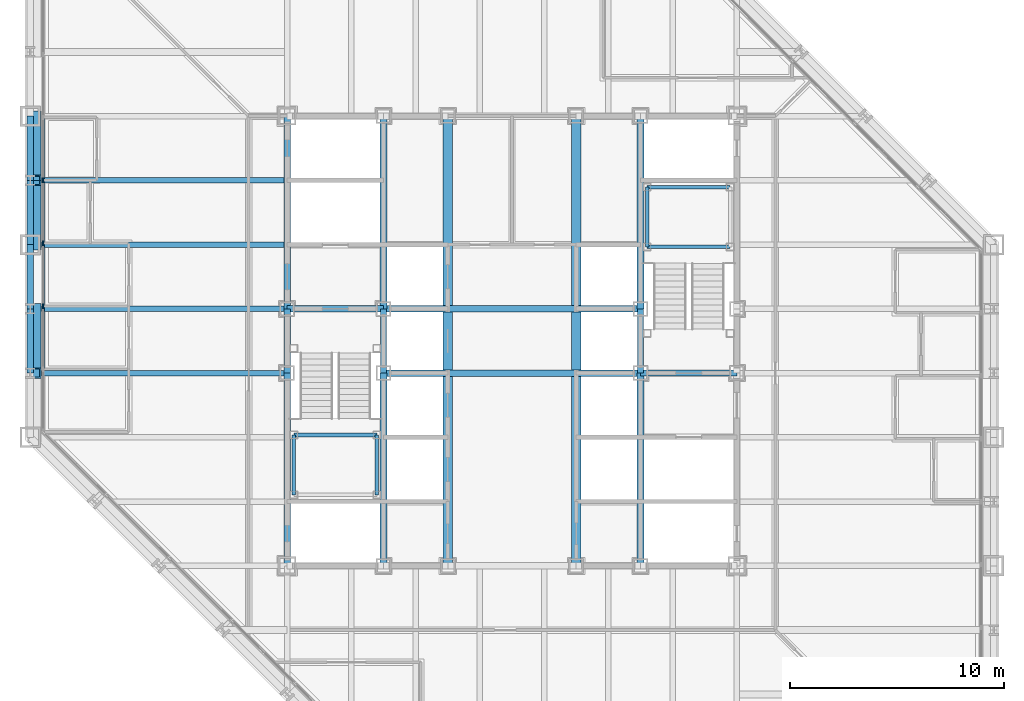
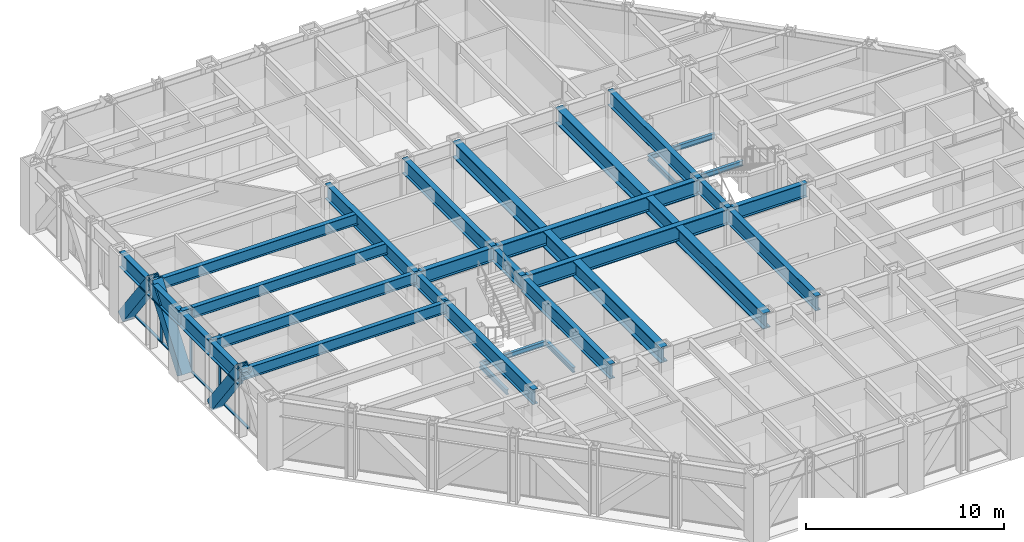
# One storey, part 5 of 17: 33 beams, 10 members, 1 element without a shape of its own.
"""IFC4 building model written with IfcOpenShell, lengths in metres."""

from ifc_helpers import new_model, si_unit, direction, frame, origin, origin_2d, place, context, subcontext, project, spatial, rectangle, hollow_rectangle, i_section, extrude, material, layer, layer_set, material_profile, profile_set, type_object, element, aggregate, save


model = new_model("IFC4")

# Units and contexts
model_context = context("Model", 3, precision=1e-05, world=origin(), true_north=direction((0.0, 1.0)))
body_context = subcontext(model_context, "Body", "Model", "MODEL_VIEW")
ifc_project = project(units=[si_unit("LENGTHUNIT", "METRE"), si_unit("AREAUNIT", "SQUARE_METRE"), si_unit("VOLUMEUNIT", "CUBIC_METRE"), si_unit("PLANEANGLEUNIT", "RADIAN"), si_unit("MASSUNIT", "GRAM", prefix="KILO")], contexts=[model_context])

# Site, building, storey
site_placement = place(None, origin())
site = spatial("IfcSite", under=ifc_project, at=site_placement, CompositionType="ELEMENT")
building_placement = place(site_placement, origin())
building = spatial("IfcBuilding", under=site, at=building_placement, Name="Chuquiago Exchange Tower", CompositionType="ELEMENT")
storey_placement = place(building_placement, frame((0.0, 0.0, 136.199951171875)))
storey = spatial("IfcBuildingStorey", under=building, at=storey_placement, Name="L29", CompositionType="ELEMENT", Elevation=136.199951171875)

# Beams
ifc_material_1 = material(Name="Steel ASTM A992", Category="steel")
ifc_material_profile_1 = material_profile(ifc_material_1, i_section(OverallWidth=0.25390625, OverallDepth=0.683349609375, WebThickness=0.012451171875, FlangeThickness=0.018798828125, at=origin_2d()), Name="W27X94")
ifc_profile_set_1 = profile_set([ifc_material_profile_1], Name="Steel ASTM A992")
beam_type_1 = type_object("IfcBeamType", Name="B1 W27X94", PredefinedType="BEAM", material=ifc_profile_set_1)
for number, where, z_axis, x_axis, name in (
    (1, (12.0, 21.0, 3.698486328125), (-1.0, 0.0, 0.0), (0.0, -1.0, 0.0), "FB-L30-infill-12_21--0_21-0"),
    (2, (12.0, 24.0, 3.698486328125), (-1.0, 0.0, 0.0), (0.0, -1.0, 0.0), "FB-L30-infill-12_24--0_24-0"),
    (3, (12.0, 27.0, 3.698486328125), (-1.0, 0.0, 0.0), (0.0, -1.0, 0.0), "FB-L30-infill-12_27--0_27-0"),
    (4, (12.0, 30.0, 3.698486328125), (-1.0, 0.0, 0.0), (0.0, -1.0, 0.0), "FB-L30-infill-12_30--0_30-0"),
):
    element("IfcBeam", number, at=place(storey_placement, frame(where, z_axis=z_axis, x_axis=x_axis)), inside=storey, type_object=beam_type_1, Name=name, PredefinedType="BEAM", context=body_context, shape_type="SweptSolid", body=[
        extrude(i_section(OverallWidth=0.25390625, OverallDepth=0.683349609375, WebThickness=0.012451171875, FlangeThickness=0.018798828125, at=origin_2d()), origin(), (0.0, 0.0, 1.0), 12.0),
    ])
ifc_material_2 = material(Name="Steel ASTM A992", Category="steel")
ifc_material_profile_2 = material_profile(ifc_material_2, i_section(OverallWidth=0.307373046875, OverallDepth=0.927001953125, WebThickness=0.01953125, FlangeThickness=0.031982421875, at=origin_2d()), Name="W36X194")
ifc_profile_set_2 = profile_set([ifc_material_profile_2], Name="Steel ASTM A992")
beam_type_2 = type_object("IfcBeamType", Name="B10 W36X194", PredefinedType="BEAM", material=ifc_profile_set_2)
for number, where, z_axis, x_axis, name in (
    (5, (12.0, 12.0, 3.57666015625), (0.0, 1.0, 0.0), (-1.0, 0.0, 0.0), "CB-L30-12_12-12_21"),
    (6, (12.0, 24.0, 3.57666015625), (0.0, 1.0, 0.0), (-1.0, 0.0, 0.0), "CB-L30-12_24-12_33"),
    (7, (16.5, 12.0, 3.57666015625), (0.0, 1.0, 0.0), (-1.0, 0.0, 0.0), "CB-L30-16.5_12-16.5_21"),
    (8, (16.5, 24.0, 3.57666015625), (0.0, 1.0, 0.0), (-1.0, 0.0, 0.0), "CB-L30-16.5_24-16.5_33"),
    (9, (28.5, 12.0, 3.57666015625), (0.0, 1.0, 0.0), (-1.0, 0.0, 0.0), "CB-L30-28.5_12-28.5_21"),
    (10, (28.5, 24.0, 3.57666015625), (0.0, 1.0, 0.0), (-1.0, 0.0, 0.0), "CB-L30-28.5_24-28.5_33"),
):
    element("IfcBeam", number, at=place(storey_placement, frame(where, z_axis=z_axis, x_axis=x_axis)), inside=storey, type_object=beam_type_2, Name=name, PredefinedType="BEAM", context=body_context, shape_type="SweptSolid", body=[
        extrude(i_section(OverallWidth=0.307373046875, OverallDepth=0.927001953125, WebThickness=0.01953125, FlangeThickness=0.031982421875, at=origin_2d()), origin(), (0.0, 0.0, 1.0), 9.0),
    ])
ifc_material_3 = material(Name="Steel ASTM A992", Category="steel")
ifc_material_profile_3 = material_profile(ifc_material_3, i_section(OverallWidth=0.309814453125, OverallDepth=0.949951171875, WebThickness=0.0244140625, FlangeThickness=0.0439453125, at=origin_2d()), Name="W36X256")
ifc_profile_set_3 = profile_set([ifc_material_profile_3], Name="Steel ASTM A992")
beam_type_3 = type_object("IfcBeamType", Name="B11 W36X256", PredefinedType="BEAM", material=ifc_profile_set_3)
for number, where, z_axis, x_axis, name in (
    (11, (16.5, 21.0, 3.56494140625), (1.0, 0.0, 0.0), (0.0, 1.0, 0.0), "CB-L30-16.5_21-28.5_21"),
    (12, (16.5, 24.0, 3.56494140625), (1.0, 0.0, 0.0), (0.0, 1.0, 0.0), "CB-L30-16.5_24-28.5_24"),
):
    element("IfcBeam", number, at=place(storey_placement, frame(where, z_axis=z_axis, x_axis=x_axis)), inside=storey, type_object=beam_type_3, Name=name, PredefinedType="BEAM", context=body_context, shape_type="SweptSolid", body=[
        extrude(i_section(OverallWidth=0.309814453125, OverallDepth=0.949951171875, WebThickness=0.0244140625, FlangeThickness=0.0439453125, at=origin_2d()), origin(), (0.0, 0.0, 1.0), 12.0),
    ])
ifc_material_4 = material(Name="Steel ASTM A992", Category="steel")
ifc_material_profile_4 = material_profile(ifc_material_4, i_section(OverallWidth=0.4267578125, OverallDepth=0.975341796875, WebThickness=0.031005859375, FlangeThickness=0.055908203125, at=origin_2d()), Name="W36X395")
ifc_profile_set_4 = profile_set([ifc_material_profile_4], Name="Steel ASTM A992")
beam_type_4 = type_object("IfcBeamType", Name="B12 W36X395", PredefinedType="BEAM", material=ifc_profile_set_4)
beam_1_placement = place(storey_placement, frame((19.5, 12.0, 3.55224609375), z_axis=(0.0, 1.0, 0.0), x_axis=(-1.0, 0.0, 0.0)))
element("IfcBeam", 13, at=beam_1_placement, inside=storey, type_object=beam_type_4, Name="CB-L30-19.5_12-19.5_20.8451", PredefinedType="BEAM", context=body_context, shape_type="SweptSolid", body=[
    extrude(i_section(OverallWidth=0.4267578125, OverallDepth=0.975341796875, WebThickness=0.031005859375, FlangeThickness=0.055908203125, at=origin_2d()), origin(), (0.0, 0.0, 1.0), 8.84521484375),
])
beam_2_placement = place(storey_placement, frame((19.5, 21.15478515625, 3.55224609375), z_axis=(0.0, 1.0, 0.0), x_axis=(-1.0, 0.0, 0.0)))
element("IfcBeam", 14, at=beam_2_placement, inside=storey, type_object=beam_type_4, Name="CB-L30-19.5_21.1549-19.5_23.8451", PredefinedType="BEAM", context=body_context, shape_type="SweptSolid", body=[
    extrude(i_section(OverallWidth=0.4267578125, OverallDepth=0.975341796875, WebThickness=0.031005859375, FlangeThickness=0.055908203125, at=origin_2d()), origin(), (0.0, 0.0, 1.0), 2.6904296875),
])
for number, where, z_axis, x_axis, name in (
    (15, (19.5, 24.15478515625, 3.55224609375), (0.0, 1.0, 0.0), (-1.0, 0.0, 0.0), "CB-L30-19.5_24.1549-19.5_33"),
    (16, (25.5, 12.0, 3.55224609375), (0.0, 1.0, 0.0), (-1.0, 0.0, 0.0), "CB-L30-25.5_12-25.5_20.8451"),
):
    element("IfcBeam", number, at=place(storey_placement, frame(where, z_axis=z_axis, x_axis=x_axis)), inside=storey, type_object=beam_type_4, Name=name, PredefinedType="BEAM", context=body_context, shape_type="SweptSolid", body=[
        extrude(i_section(OverallWidth=0.4267578125, OverallDepth=0.975341796875, WebThickness=0.031005859375, FlangeThickness=0.055908203125, at=origin_2d()), origin(), (0.0, 0.0, 1.0), 8.84521484375),
    ])
beam_3_placement = place(storey_placement, frame((25.5, 21.15478515625, 3.55224609375), z_axis=(0.0, 1.0, 0.0), x_axis=(-1.0, 0.0, 0.0)))
element("IfcBeam", 17, at=beam_3_placement, inside=storey, type_object=beam_type_4, Name="CB-L30-25.5_21.1549-25.5_23.8451", PredefinedType="BEAM", context=body_context, shape_type="SweptSolid", body=[
    extrude(i_section(OverallWidth=0.4267578125, OverallDepth=0.975341796875, WebThickness=0.031005859375, FlangeThickness=0.055908203125, at=origin_2d()), origin(), (0.0, 0.0, 1.0), 2.6904296875),
])
beam_4_placement = place(storey_placement, frame((25.5, 24.15478515625, 3.55224609375), z_axis=(0.0, 1.0, 0.0), x_axis=(-1.0, 0.0, 0.0)))
element("IfcBeam", 18, at=beam_4_placement, inside=storey, type_object=beam_type_4, Name="CB-L30-25.5_24.1549-25.5_33", PredefinedType="BEAM", context=body_context, shape_type="SweptSolid", body=[
    extrude(i_section(OverallWidth=0.4267578125, OverallDepth=0.975341796875, WebThickness=0.031005859375, FlangeThickness=0.055908203125, at=origin_2d()), origin(), (0.0, 0.0, 1.0), 8.84521484375),
])
ifc_material_5 = material(Name="Steel ASTM A992", Category="steel")
ifc_material_profile_5 = material_profile(ifc_material_5, i_section(OverallWidth=0.2919921875, OverallDepth=0.8583984375, WebThickness=0.01708984375, FlangeThickness=0.031005859375, at=origin_2d()), Name="W33X169")
ifc_profile_set_5 = profile_set([ifc_material_profile_5], Name="Steel ASTM A992")
beam_type_5 = type_object("IfcBeamType", Name="B3 W33X169", PredefinedType="BEAM", material=ifc_profile_set_5)
for number, where, z_axis, x_axis, name in (
    (19, (12.0, 21.0, 3.61083984375), (0.0, 1.0, 0.0), (-1.0, 0.0, 0.0), "CB-L30-12_21-12_24"),
    (20, (16.5, 21.0, 3.61083984375), (0.0, 1.0, 0.0), (-1.0, 0.0, 0.0), "CB-L30-16.5_21-16.5_24"),
    (21, (28.5, 21.0, 3.61083984375), (0.0, 1.0, 0.0), (-1.0, 0.0, 0.0), "CB-L30-28.5_21-28.5_24"),
):
    element("IfcBeam", number, at=place(storey_placement, frame(where, z_axis=z_axis, x_axis=x_axis)), inside=storey, type_object=beam_type_5, Name=name, PredefinedType="BEAM", context=body_context, shape_type="SweptSolid", body=[
        extrude(i_section(OverallWidth=0.2919921875, OverallDepth=0.8583984375, WebThickness=0.01708984375, FlangeThickness=0.031005859375, at=origin_2d()), origin(), (0.0, 0.0, 1.0), 3.0),
    ])
for number, where, z_axis, x_axis, name in (
    (22, (28.5, 21.0, 3.61083984375), (1.0, 0.0, 0.0), (0.0, 1.0, 0.0), "CB-L30-28.5_21-33_21"),
    (23, (12.0, 24.0, 3.61083984375), (1.0, 0.0, 0.0), (0.0, 1.0, 0.0), "CB-L30-12_24-16.5_24"),
):
    element("IfcBeam", number, at=place(storey_placement, frame(where, z_axis=z_axis, x_axis=x_axis)), inside=storey, type_object=beam_type_5, Name=name, PredefinedType="BEAM", context=body_context, shape_type="SweptSolid", body=[
        extrude(i_section(OverallWidth=0.2919921875, OverallDepth=0.8583984375, WebThickness=0.01708984375, FlangeThickness=0.031005859375, at=origin_2d()), origin(), (0.0, 0.0, 1.0), 4.5),
    ])

# Curtain wall, members
ifc_material_6 = material(Name="Aluminium curtain wall system", Category="aluminium")
ifc_layer = layer(ifc_material_6, 0.22509765625)
ifc_layer_set = layer_set([ifc_layer], Name="CW2 office curtain wall")
curtain_wall_type = type_object("IfcCurtainWallType", Name="CW2 office curtain wall", PredefinedType="NOTDEFINED", material=ifc_layer_set)
curtain_wall_placement = place(storey_placement, origin())
curtain_wall = element("IfcCurtainWall", 24, at=curtain_wall_placement, inside=storey, type_object=curtain_wall_type, Name="CW2 curtain wall L29", PredefinedType="NOTDEFINED")
ifc_material_7 = material(Name="Aluminium mullion, pale anodised", Category="aluminium")
ifc_material_profile_6 = material_profile(ifc_material_7, rectangle(XDim=0.06494140625, YDim=0.22509765625, at=origin_2d()), Name="AL 65x225")
ifc_profile_set_6 = profile_set([ifc_material_profile_6], Name="Aluminium mullion, pale anodised")
member_type_1 = type_object("IfcMemberType", Name="CW2-M mullion 65x225", PredefinedType="MULLION", material=ifc_profile_set_6)
member_1_placement = place(storey_placement, frame((0.60009765625, 30.0, 0.0), z_axis=(0.0, 0.0, 1.0), x_axis=(1.0, 0.0, 0.0)))
member_1 = element("IfcMember", 25, at=member_1_placement, type_object=member_type_1, Name="CW2 mullion 5", PredefinedType="MULLION", context=body_context, shape_type="SweptSolid", body=[
    extrude(rectangle(XDim=0.06494140625, YDim=0.22509765625, at=origin_2d()), origin(), (0.0, 0.0, 1.0), 4.0400390625),
])
member_2_placement = place(storey_placement, frame((0.60009765625, 27.06201171875, 0.0), z_axis=(0.0, 0.0, 1.0), x_axis=(1.0, 0.0, 0.0)))
member_2 = element("IfcMember", 26, at=member_2_placement, type_object=member_type_1, Name="CW2 mullion 6", PredefinedType="MULLION", context=body_context, shape_type="SweptSolid", body=[
    extrude(rectangle(XDim=0.06494140625, YDim=0.22509765625, at=origin_2d()), origin(), (0.0, 0.0, 1.0), 4.0400390625),
])
member_3_placement = place(storey_placement, frame((0.60009765625, 24.124267578125, 0.0), z_axis=(0.0, 0.0, 1.0), x_axis=(1.0, 0.0, 0.0)))
member_3 = element("IfcMember", 27, at=member_3_placement, type_object=member_type_1, Name="CW2 mullion 7", PredefinedType="MULLION", context=body_context, shape_type="SweptSolid", body=[
    extrude(rectangle(XDim=0.06494140625, YDim=0.22509765625, at=origin_2d()), origin(), (0.0, 0.0, 1.0), 4.0400390625),
])
ifc_material_8 = material(Name="Aluminium transom, pale anodised", Category="aluminium")
ifc_material_profile_7 = material_profile(ifc_material_8, rectangle(XDim=0.139892578125, YDim=0.06494140625, at=origin_2d()), Name="AL 140x65")
ifc_profile_set_7 = profile_set([ifc_material_profile_7], Name="Aluminium transom, pale anodised")
member_type_2 = type_object("IfcMemberType", Name="CW2-T transom 65x140", PredefinedType="MULLION", material=ifc_profile_set_7)
member_4_placement = place(storey_placement, frame((0.60009765625, 32.9052734375, 0.032470703125), z_axis=(0.0, -1.0, 0.0), x_axis=(1.0, 0.0, 0.0)))
member_4 = element("IfcMember", 28, at=member_4_placement, type_object=member_type_2, Name="CW2 transom 4.1", PredefinedType="MULLION", context=body_context, shape_type="SweptSolid", body=[
    extrude(rectangle(XDim=0.139892578125, YDim=0.06494140625, at=origin_2d()), origin(), (0.0, 0.0, 1.0), 2.872802734375),
])
member_5_placement = place(storey_placement, frame((0.60009765625, 29.967529296875, 0.032470703125), z_axis=(0.0, -1.0, 0.0), x_axis=(1.0, 0.0, 0.0)))
member_5 = element("IfcMember", 29, at=member_5_placement, type_object=member_type_2, Name="CW2 transom 5.1", PredefinedType="MULLION", context=body_context, shape_type="SweptSolid", body=[
    extrude(rectangle(XDim=0.139892578125, YDim=0.06494140625, at=origin_2d()), origin(), (0.0, 0.0, 1.0), 2.872802734375),
])
member_6_placement = place(storey_placement, frame((0.60009765625, 27.029541015625, 0.032470703125), z_axis=(0.0, -1.0, 0.0), x_axis=(1.0, 0.0, 0.0)))
member_6 = element("IfcMember", 30, at=member_6_placement, type_object=member_type_2, Name="CW2 transom 6.1", PredefinedType="MULLION", context=body_context, shape_type="SweptSolid", body=[
    extrude(rectangle(XDim=0.139892578125, YDim=0.06494140625, at=origin_2d()), origin(), (0.0, 0.0, 1.0), 2.872802734375),
])
member_7_placement = place(storey_placement, frame((0.60009765625, 24.091796875, 0.032470703125), z_axis=(0.0, -1.0, 0.0), x_axis=(1.0, 0.0, 0.0)))
member_7 = element("IfcMember", 31, at=member_7_placement, type_object=member_type_2, Name="CW2 transom 7.1", PredefinedType="MULLION", context=body_context, shape_type="SweptSolid", body=[
    extrude(rectangle(XDim=0.139892578125, YDim=0.06494140625, at=origin_2d()), origin(), (0.0, 0.0, 1.0), 2.872802734375),
])
aggregate(curtain_wall, [member_1, member_2, member_3, member_4, member_5, member_6, member_7])

# Beams
ifc_material_9 = material(Name="Steel ASTM A992", Category="steel")
ifc_material_profile_8 = material_profile(ifc_material_9, i_section(OverallWidth=0.164794921875, OverallDepth=0.309814453125, WebThickness=0.005859375, FlangeThickness=0.009765625, at=origin_2d()), Name="W12X26")
ifc_profile_set_8 = profile_set([ifc_material_profile_8], Name="Steel ASTM A992")
beam_type_6 = type_object("IfcBeamType", Name="LS1 W12X26", PredefinedType="BEAM", material=ifc_profile_set_8)
for number, where, z_axis, x_axis, name in (
    (32, (12.31005859375, 15.31005859375, 1.7451171875), (0.0, 1.0, 0.0), (-1.0, 0.0, 0.0), "Stair ST1 L29 landing 1 stringer"),
    (33, (16.18994140625, 15.31005859375, 1.7451171875), (0.0, 1.0, 0.0), (-1.0, 0.0, 0.0), "Stair ST1 L29 landing 1 stringer"),
    (34, (28.81005859375, 26.889892578125, 1.7451171875), (0.0, 1.0, 0.0), (-1.0, 0.0, 0.0), "Stair ST2 L29 landing 1 stringer"),
):
    element("IfcBeam", number, at=place(storey_placement, frame(where, z_axis=z_axis, x_axis=x_axis)), inside=storey, type_object=beam_type_6, Name=name, PredefinedType="BEAM", context=body_context, shape_type="SweptSolid", body=[
        extrude(i_section(OverallWidth=0.164794921875, OverallDepth=0.309814453125, WebThickness=0.005859375, FlangeThickness=0.009765625, at=origin_2d()), origin(), (0.0, 0.0, 1.0), 2.800048828125),
    ])
ifc_material_10 = material(Name="Steel ASTM A992", Category="steel")
ifc_material_profile_9 = material_profile(ifc_material_10, i_section(OverallWidth=0.164794921875, OverallDepth=0.309814453125, WebThickness=0.005859375, FlangeThickness=0.009765625, at=origin_2d()), Name="W12X26")
ifc_profile_set_9 = profile_set([ifc_material_profile_9], Name="Steel ASTM A992")
beam_type_7 = type_object("IfcBeamType", Name="LT1 W12X26", PredefinedType="BEAM", material=ifc_profile_set_9)
for number, where, z_axis, x_axis, name in (
    (35, (12.31005859375, 18.110107421875, 1.7451171875), (1.0, 0.0, 0.0), (0.0, 1.0, 0.0), "Stair ST1 L29 landing 1 trimmer"),
    (36, (28.81005859375, 29.68994140625, 1.7451171875), (1.0, 0.0, 0.0), (0.0, 1.0, 0.0), "Stair ST2 L29 landing 1 trimmer"),
    (37, (28.81005859375, 26.889892578125, 1.7451171875), (1.0, 0.0, 0.0), (0.0, 1.0, 0.0), "Stair ST2 L29 landing 1 trimmer"),
):
    element("IfcBeam", number, at=place(storey_placement, frame(where, z_axis=z_axis, x_axis=x_axis)), inside=storey, type_object=beam_type_7, Name=name, PredefinedType="BEAM", context=body_context, shape_type="SweptSolid", body=[
        extrude(i_section(OverallWidth=0.164794921875, OverallDepth=0.309814453125, WebThickness=0.005859375, FlangeThickness=0.009765625, at=origin_2d()), origin(), (0.0, 0.0, 1.0), 3.8798828125),
    ])

# Members
ifc_material_11 = material(Name="Steel ASTM A572 Grade 50", Category="steel")
ifc_material_profile_10 = material_profile(ifc_material_11, hollow_rectangle(XDim=0.60009765625, YDim=0.60009765625, WallThickness=0.06005859375, at=origin_2d()), Name="BOX600X600X60")
ifc_profile_set_10 = profile_set([ifc_material_profile_10], Name="Steel ASTM A572 Grade 50")
member_type_3 = type_object("IfcMemberType", Name="MB2 BOX600X600X60", PredefinedType="BRACE", material=ifc_profile_set_10)
for number, where, z_axis, x_axis, name in (
    (38, (0.205078125, 33.0, 0.0), (0.0, -0.596173923302, 0.802855312728), (1.0, 0.0, 0.0), "Mega diagonal L29 W face"),
    (39, (0.205078125, 27.0, 0.0), (0.0, 0.596173923302, 0.802855312728), (-1.0, 0.0, 0.0), "Mega diagonal L29 W face"),
    (40, (0.205078125, 24.0, 0.0), (0.0, -0.596173923302, 0.802855312728), (1.0, 0.0, 0.0), "Mega diagonal L29 W face"),
):
    element("IfcMember", number, at=place(storey_placement, frame(where, z_axis=z_axis, x_axis=x_axis)), inside=storey, type_object=member_type_3, Name=name, PredefinedType="BRACE", context=body_context, shape_type="SweptSolid", body=[
        extrude(hollow_rectangle(XDim=0.60009765625, YDim=0.60009765625, WallThickness=0.06005859375, at=origin_2d()), origin(), (0.0, 0.0, 1.0), 5.031982421875),
    ])

# Beams
ifc_material_12 = material(Name="Steel ASTM A992", Category="steel")
ifc_material_profile_11 = material_profile(ifc_material_12, i_section(OverallWidth=0.309814453125, OverallDepth=0.949951171875, WebThickness=0.0244140625, FlangeThickness=0.0439453125, at=origin_2d()), Name="W36X256")
ifc_profile_set_11 = profile_set([ifc_material_profile_11], Name="Steel ASTM A992")
beam_type_8 = type_object("IfcBeamType", Name="SP2 W36X256", PredefinedType="SPANDREL", material=ifc_profile_set_11)
for number, where, z_axis, x_axis, name in (
    (41, (0.0, 33.0, 3.56494140625), (0.0, -1.0, 0.0), (1.0, 0.0, 0.0), "SPB-L30-0_33-0_30"),
    (42, (0.0, 30.0, 3.56494140625), (0.0, -1.0, 0.0), (1.0, 0.0, 0.0), "SPB-L30-0_30-0_27"),
    (43, (0.0, 27.0, 3.56494140625), (0.0, -1.0, 0.0), (1.0, 0.0, 0.0), "SPB-L30-0_27-0_24"),
    (44, (0.0, 24.0, 3.56494140625), (0.0, -1.0, 0.0), (1.0, 0.0, 0.0), "SPB-L30-0_24-0_21"),
):
    element("IfcBeam", number, at=place(storey_placement, frame(where, z_axis=z_axis, x_axis=x_axis)), inside=storey, type_object=beam_type_8, Name=name, PredefinedType="SPANDREL", context=body_context, shape_type="SweptSolid", body=[
        extrude(i_section(OverallWidth=0.309814453125, OverallDepth=0.949951171875, WebThickness=0.0244140625, FlangeThickness=0.0439453125, at=origin_2d()), origin(), (0.0, 0.0, 1.0), 3.0),
    ])

save(model, "model.ifc")
